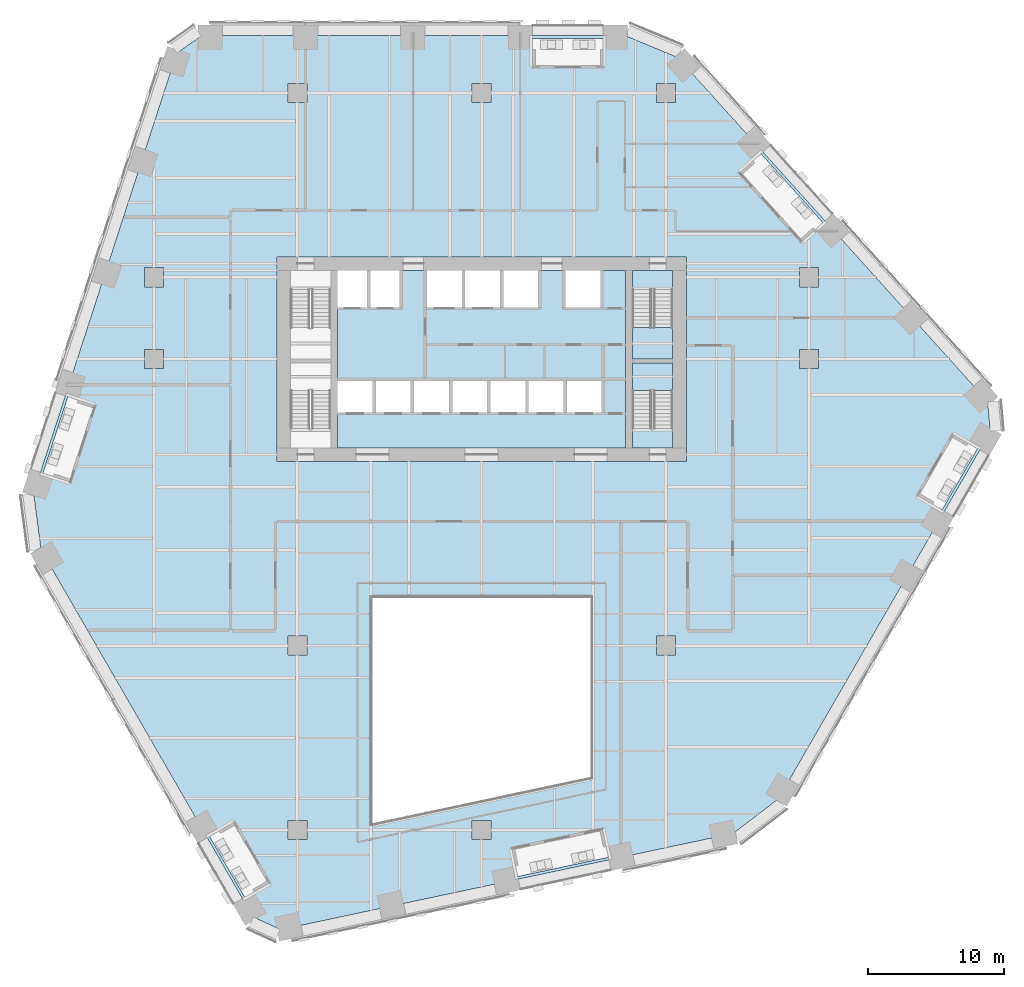
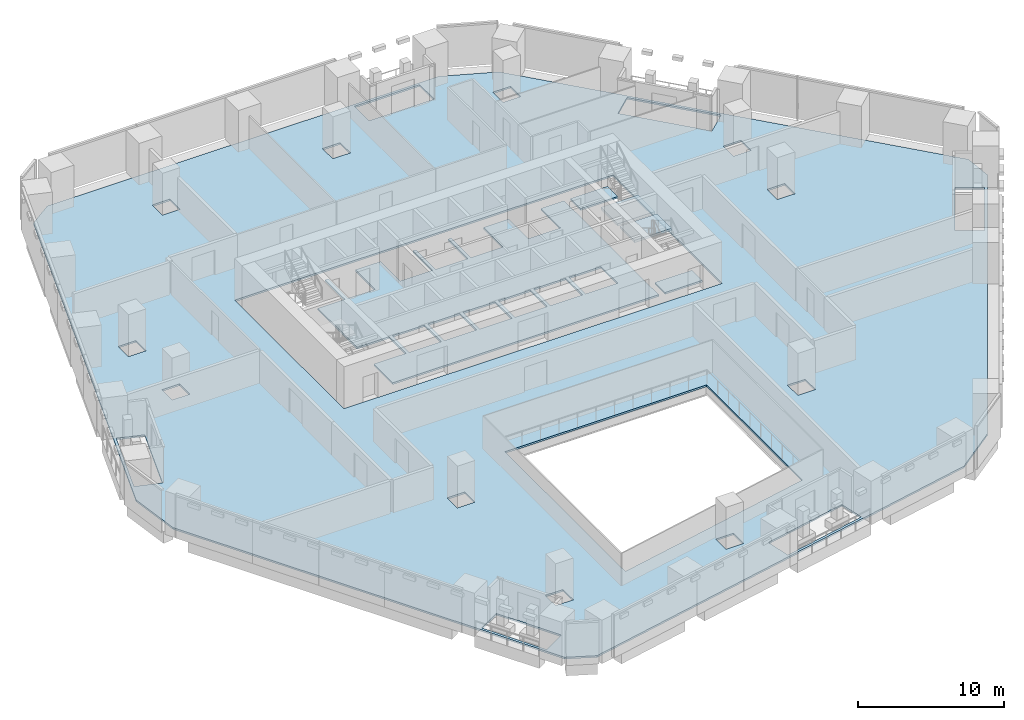
# One storey, part 19 of 31: 6 slabs, 2 elements without a shape of their own.
"""IFC4 building model written with IfcOpenShell, lengths in metres."""

import ifcopenshell
import ifcopenshell.guid

model = None  # the IFC model being written
_history = None  # IfcOwnerHistory: only IFC2X3 demands one
_inside = {}  # id of a spatial element -> (the spatial element, [elements in it])
_under = {}  # id of a project, library or spatial element -> (it, [spatial elements below it])
_declared = {}  # id of a project -> (the project, [libraries it declares])
_typed = {}  # id of a type object -> (the type object, [elements of that type])
_made_of = {}  # id of a material, layer set ... -> (it, [elements and type objects made of it])


def new_model(schema):
    """Start an empty IFC model of exactly this schema.

    Asked for "IFC4X3", IfcOpenShell would pick the latest addendum, in which some entities
    have other attributes; the version numbers below select the first issue.
    IFC2X3 requires an IfcOwnerHistory on every rooted entity: one is made here for all.
    """
    global model, _history
    if schema == "IFC4X3":
        model = ifcopenshell.file(schema_version=(4, 3, 0, 0))
    else:
        model = ifcopenshell.file(schema=schema)
    _inside.clear()
    _under.clear()
    _declared.clear()
    _typed.clear()
    _made_of.clear()
    _history = None
    if model.schema == "IFC2X3":
        org = make("IfcOrganization", Name="unknown")
        user = make(
            "IfcPersonAndOrganization",
            ThePerson=make("IfcPerson", FamilyName="unknown"),
            TheOrganization=org,
        )
        app = make(
            "IfcApplication",
            ApplicationDeveloper=org,
            Version="unknown",
            ApplicationFullName="unknown",
            ApplicationIdentifier="unknown",
        )
        _history = make(
            "IfcOwnerHistory",
            OwningUser=user,
            OwningApplication=app,
            ChangeAction="ADDED",
            CreationDate=0,
        )
    return model


def make(cls, **values):
    """One entity of the class cls with the attributes given. An attribute that is None is left unset."""
    return model.create_entity(
        cls, **{name: value for name, value in values.items() if value is not None}
    )


def rooted(cls, **values):
    """An entity with a GlobalId (a new one), such as an element, a storey or a relation."""
    return make(cls, GlobalId=ifcopenshell.guid.new(), OwnerHistory=_history, **values)


def si_unit(unit_type, name, prefix=None):
    """IfcSIUnit, for example si_unit("LENGTHUNIT", "METRE", prefix="MILLI")."""
    return make("IfcSIUnit", UnitType=unit_type, Prefix=prefix, Name=name)


def assignment(units):
    """IfcUnitAssignment: the units of a project."""
    return None if units is None else make("IfcUnitAssignment", Units=units)


def point(xyz):
    """IfcCartesianPoint."""
    return None if xyz is None else make("IfcCartesianPoint", Coordinates=xyz)


def direction(xyz):
    """IfcDirection."""
    return None if xyz is None else make("IfcDirection", DirectionRatios=xyz)


def frame(location, z_axis=None, x_axis=None):
    """IfcAxis2Placement3D, a coordinate frame: its origin and axes. An axis left out is left unset."""
    return make(
        "IfcAxis2Placement3D",
        Location=point(location),
        Axis=direction(z_axis),
        RefDirection=direction(x_axis),
    )


def origin():
    """The frame at (0, 0, 0) with its axes left unset."""
    return frame((0.0, 0.0, 0.0))


def place(relative_to, where):
    """IfcLocalPlacement: puts the frame where relative to a parent placement (None: the world)."""
    return make(
        "IfcLocalPlacement", PlacementRelTo=relative_to, RelativePlacement=where
    )


def context(
    kind, dimensions, precision=None, world=None, true_north=None, identifier=None
):
    """IfcGeometricRepresentationContext, for example the 3D "Model" context."""
    return make(
        "IfcGeometricRepresentationContext",
        ContextIdentifier=identifier,
        ContextType=kind,
        CoordinateSpaceDimension=dimensions,
        Precision=precision,
        WorldCoordinateSystem=world,
        TrueNorth=true_north,
    )


def subcontext(parent, identifier, kind, view, scale=None):
    """IfcGeometricRepresentationSubContext, for example "Body" below "Model"."""
    return make(
        "IfcGeometricRepresentationSubContext",
        ContextIdentifier=identifier,
        ContextType=kind,
        ParentContext=parent,
        TargetScale=scale,
        TargetView=view,
    )


def project(units=None, contexts=None):
    """IfcProject with its units and contexts."""
    return rooted(
        "IfcProject",
        Name="project",
        RepresentationContexts=contexts,
        UnitsInContext=assignment(units),
    )


def spatial(cls, under=None, at=None, **own):
    """A site, building, storey or space (cls), placed at a placement, below another one or the project."""
    s = rooted(cls, ObjectPlacement=at, **own)
    if under is not None:
        _under.setdefault(under.id(), (under, []))[1].append(s)
    return s


def polyline(points):
    """IfcPolyline through the points."""
    return make("IfcPolyline", Points=[point(p) for p in points])


def outline(outer, holes=None, kind="AREA"):
    """IfcArbitraryClosedProfileDef: a profile drawn as a closed curve; with holes, ...WithVoids."""
    if holes is None:
        return make("IfcArbitraryClosedProfileDef", ProfileType=kind, OuterCurve=outer)
    return make(
        "IfcArbitraryProfileDefWithVoids",
        ProfileType=kind,
        OuterCurve=outer,
        InnerCurves=holes,
    )


def extrude(swept, where, along, depth):
    """IfcExtrudedAreaSolid: the profile swept, set in the frame where, extruded along a direction by depth."""
    return make(
        "IfcExtrudedAreaSolid",
        SweptArea=swept,
        Position=where,
        ExtrudedDirection=direction(along),
        Depth=depth,
    )


def shape(context_of_items, identifier, shape_type, items):
    """IfcShapeRepresentation: the items that make up one representation, for example the "Body"."""
    return make(
        "IfcShapeRepresentation",
        ContextOfItems=context_of_items,
        RepresentationIdentifier=identifier,
        RepresentationType=shape_type,
        Items=items,
    )


def material(Name=None, Category=None):
    """IfcMaterial."""
    return make("IfcMaterial", Name=Name, Category=Category)


def layer(
    of_material, thickness, ventilated=None, Name=None, Category=None, Priority=None
):
    """IfcMaterialLayer: one layer of a wall or slab, of a material (None: an air gap)."""
    return make(
        "IfcMaterialLayer",
        Material=of_material,
        LayerThickness=thickness,
        IsVentilated=ventilated,
        Name=Name,
        Category=Category,
        Priority=Priority,
    )


def layer_set(layers, Name=None):
    """IfcMaterialLayerSet."""
    return make("IfcMaterialLayerSet", MaterialLayers=layers, LayerSetName=Name)


def made_of(thing, what):
    """Note that an element or type object is made of a material, layer set ...; save() writes the relation."""
    if what is not None:
        _made_of.setdefault(what.id(), (what, []))[1].append(thing)
    return thing


def type_object(cls, material=None, **own):
    """A type object (cls), such as IfcWallType, which elements share."""
    return made_of(rooted(cls, **own), material)


def element(
    cls,
    number,
    at=None,
    inside=None,
    cuts=None,
    type_object=None,
    material=None,
    context=None,
    identifier="Body",
    shape_type=None,
    held_by="IfcProductDefinitionShape",
    body=None,
    shapes=None,
    **own,
):
    """One element of the class cls, such as IfcWall. Its Tag is "e" and its number.

    at: its placement. inside: the storey or other place that contains it. cuts: it is an
    opening in that element (IfcRelVoidsElement). A single representation is given by context,
    identifier, shape_type and body (its items); several are given by shapes. held_by: the class
    of the entity that holds the representations. save() writes the other relations.
    """
    e = rooted(cls, Tag="e%d" % number, ObjectPlacement=at, **own)
    if body is not None:
        shapes = [shape(context, identifier, shape_type, body)]
    if shapes is not None:
        e.Representation = make(held_by, Representations=shapes)
    if inside is not None:
        _inside.setdefault(inside.id(), (inside, []))[1].append(e)
    if cuts is not None:
        rooted(
            "IfcRelVoidsElement", RelatingBuildingElement=cuts, RelatedOpeningElement=e
        )
    if type_object is not None:
        _typed.setdefault(type_object.id(), (type_object, []))[1].append(e)
    return made_of(e, material)


def aggregate(whole, parts):
    """IfcRelAggregates: a whole, such as a stair, and the parts it consists of."""
    return rooted("IfcRelAggregates", RelatingObject=whole, RelatedObjects=parts)


def save(model, path):
    """Write the relations noted so far, then the file.

    IfcRelAggregates (storeys below a building ...), IfcRelContainedInSpatialStructure (elements
    in a storey), IfcRelDefinesByType, IfcRelAssociatesMaterial and IfcRelDeclares: one each for
    every whole, place, type object, material and project.
    """
    for whole, parts in _under.values():
        aggregate(whole, parts)
    for where, things in _inside.values():
        rooted(
            "IfcRelContainedInSpatialStructure",
            RelatedElements=things,
            RelatingStructure=where,
        )
    for kind, things in _typed.values():
        rooted("IfcRelDefinesByType", RelatedObjects=things, RelatingType=kind)
    for what, things in _made_of.values():
        rooted("IfcRelAssociatesMaterial", RelatedObjects=things, RelatingMaterial=what)
    for by, libraries in _declared.values():
        rooted("IfcRelDeclares", RelatingContext=by, RelatedDefinitions=libraries)
    model.write(path)


model = new_model("IFC4")

# Units and contexts
model_context = context("Model", 3, precision=1e-05, world=origin(), true_north=direction((0.0, 1.0)))
body_context = subcontext(model_context, "Body", "Model", "MODEL_VIEW")
ifc_project = project(units=[si_unit("LENGTHUNIT", "METRE"), si_unit("AREAUNIT", "SQUARE_METRE"), si_unit("VOLUMEUNIT", "CUBIC_METRE"), si_unit("PLANEANGLEUNIT", "RADIAN"), si_unit("MASSUNIT", "GRAM", prefix="KILO")], contexts=[model_context])

# Site, building, storey
site_placement = place(None, origin())
site = spatial("IfcSite", under=ifc_project, at=site_placement, CompositionType="ELEMENT")
building_placement = place(site_placement, origin())
building = spatial("IfcBuilding", under=site, at=building_placement, Name="Isthmus Gate Tower", CompositionType="ELEMENT")
storey_placement = place(building_placement, frame((0.0, 0.0, 39.64990234375)))
storey = spatial("IfcBuildingStorey", under=building, at=storey_placement, Name="L07", CompositionType="ELEMENT", Elevation=39.64990234375)

# Slabs
ifc_material_1 = material(Name="Concrete f'c 40 MPa", Category="concrete")
ifc_layer_1 = layer(ifc_material_1, 0.14990234375)
ifc_layer_set_1 = layer_set([ifc_layer_1], Name="COMPOSITE FLOOR SLAB 150")
slab_type_1 = type_object("IfcSlabType", Name="COMPOSITE FLOOR SLAB 150", PredefinedType="FLOOR", material=ifc_layer_set_1)
slab_1_placement = place(storey_placement, frame((0.0, 0.0, -0.14990234375)))
element("IfcSlab", 1, at=slab_1_placement, inside=storey, type_object=slab_type_1, Name="str-slab-L07-1", PredefinedType="FLOOR", context=body_context, shape_type="SweptSolid", body=[
    extrude(outline(polyline([(14.391357421875, 29.599365234375), (37.081787109375, 4.399169921875), (37.281494140625, 2.17333984375), (21.748779296875, -24.729736328125), (18.438232421875, -27.262939453125), (-14.73095703125, -34.313232421875), (-16.758544921875, -33.373291015625), (-32.291015625, -6.47021484375), (-32.82958984375, -2.33642578125), (-22.3505859375, 29.9140625), (-20.52294921875, 31.199951171875), (10.542236328125, 31.199951171875), (14.391357421875, 29.599365234375)]), holes=[polyline([(-17.358642578125, -31.933837890625), (-15.626708984375, -30.933837890625), (-18.198486328125, -26.4794921875), (-19.930419921875, -27.4794921875), (-17.358642578125, -31.933837890625)]), polyline([(-14.199951171875, -26.300048828125), (-14.199951171875, -27.699951171875), (-12.800048828125, -27.699951171875), (-12.800048828125, -26.300048828125), (-14.199951171875, -26.300048828125)]), polyline([(-0.699951171875, -26.300048828125), (-0.699951171875, -27.699951171875), (0.699951171875, -27.699951171875), (0.699951171875, -26.300048828125), (-0.699951171875, -26.300048828125)]), polyline([(8.0, -23.143310546875), (8.0, -10.0), (-8.0, -10.0), (-8.0, -26.544189453125), (8.0, -23.143310546875)]), polyline([(-14.199951171875, -12.800048828125), (-14.199951171875, -14.199951171875), (-12.800048828125, -14.199951171875), (-12.800048828125, -12.800048828125), (-14.199951171875, -12.800048828125)]), polyline([(-32.138916015625, -0.85791015625), (-30.23681640625, -1.47607421875), (-28.416748046875, 4.125), (-30.31884765625, 4.7431640625), (-32.138916015625, -0.85791015625)]), polyline([(-23.300048828125, 8.199951171875), (-24.699951171875, 8.199951171875), (-24.699951171875, 6.800048828125), (-23.300048828125, 6.800048828125), (-23.300048828125, 8.199951171875)]), polyline([(15.0, 0.0), (15.0, 15.0), (-15.0, 15.0), (-15.0, 0.0), (15.0, 0.0)]), polyline([(-23.300048828125, 12.800048828125), (-23.300048828125, 14.199951171875), (-24.699951171875, 14.199951171875), (-24.699951171875, 12.800048828125), (-23.300048828125, 12.800048828125)]), polyline([(-14.199951171875, 27.699951171875), (-14.199951171875, 26.300048828125), (-12.800048828125, 26.300048828125), (-12.800048828125, 27.699951171875), (-14.199951171875, 27.699951171875)]), polyline([(9.291015625, -29.002685546875), (8.875244140625, -27.04638671875), (2.234375, -28.4580078125), (2.650146484375, -30.414306640625), (9.291015625, -29.002685546875)]), polyline([(14.199951171875, -12.800048828125), (12.800048828125, -12.800048828125), (12.800048828125, -14.199951171875), (14.199951171875, -14.199951171875), (14.199951171875, -12.800048828125)]), polyline([(33.75, -3.54296875), (36.3349609375, 0.933837890625), (34.602783203125, 1.933837890625), (32.01806640625, -2.54296875), (33.75, -3.54296875)]), polyline([(24.699951171875, 6.800048828125), (24.699951171875, 8.199951171875), (23.300048828125, 8.199951171875), (23.300048828125, 6.800048828125), (24.699951171875, 6.800048828125)]), polyline([(23.300048828125, 14.199951171875), (23.300048828125, 12.800048828125), (24.699951171875, 12.800048828125), (24.699951171875, 14.199951171875), (23.300048828125, 14.199951171875)]), polyline([(20.4716796875, 22.547607421875), (18.9853515625, 21.20947265625), (23.5283203125, 16.1640625), (25.014404296875, 17.502197265625), (20.4716796875, 22.547607421875)]), polyline([(0.699951171875, 27.699951171875), (-0.699951171875, 27.699951171875), (-0.699951171875, 26.300048828125), (0.699951171875, 26.300048828125), (0.699951171875, 27.699951171875)]), polyline([(14.199951171875, 26.300048828125), (14.199951171875, 27.699951171875), (12.800048828125, 27.699951171875), (12.800048828125, 26.300048828125), (14.199951171875, 26.300048828125)]), polyline([(8.90185546875, 31.0), (3.732421875, 31.0), (3.732421875, 29.0), (8.90185546875, 29.0), (8.90185546875, 31.0)])]), origin(), (0.0, 0.0, 1.0), 0.14990234375),
])
ifc_material_2 = material(Name="Concrete f'c 40 MPa", Category="concrete")
ifc_layer_2 = layer(ifc_material_2, 0.14990234375)
ifc_layer_set_2 = layer_set([ifc_layer_2], Name="CORE FLOOR SLAB 150")
slab_type_2 = type_object("IfcSlabType", Name="CORE FLOOR SLAB 150", PredefinedType="FLOOR", material=ifc_layer_set_2)
slab_2_placement = place(storey_placement, frame((0.0, 0.0, -0.14990234375)))
element("IfcSlab", 2, at=slab_2_placement, inside=storey, type_object=slab_type_2, Name="L07 core floor", PredefinedType="FLOOR", context=body_context, shape_type="SweptSolid", body=[
    extrude(outline(polyline([(10.550048828125, 14.0), (8.699951171875, 14.0), (8.699951171875, 11.300048828125), (6.14990234375, 11.300048828125), (6.14990234375, 14.0), (4.14990234375, 14.0), (4.14990234375, 11.300048828125), (1.60009765625, 11.300048828125), (1.60009765625, 14.0), (1.35009765625, 14.0), (1.35009765625, 11.300048828125), (-1.199951171875, 11.300048828125), (-1.199951171875, 14.0), (-1.449951171875, 14.0), (-1.449951171875, 11.300048828125), (-4.0, 11.300048828125), (-4.0, 14.0), (-6.0, 14.0), (-6.0, 11.300048828125), (-8.14990234375, 11.300048828125), (-8.14990234375, 14.0), (-8.39990234375, 14.0), (-8.39990234375, 11.300048828125), (-10.550048828125, 11.300048828125), (-10.550048828125, 5.89990234375), (-8.0, 5.89990234375), (-8.0, 3.60009765625), (-10.550048828125, 3.60009765625), (-10.550048828125, 1.0), (10.550048828125, 1.0), (10.550048828125, 14.0)]), holes=[polyline([(-5.199951171875, 5.89990234375), (-5.199951171875, 3.60009765625), (-7.75, 3.60009765625), (-7.75, 5.89990234375), (-5.199951171875, 5.89990234375)]), polyline([(-2.39990234375, 5.89990234375), (-2.39990234375, 3.60009765625), (-4.949951171875, 3.60009765625), (-4.949951171875, 5.89990234375), (-2.39990234375, 5.89990234375)]), polyline([(0.39990234375, 5.89990234375), (0.39990234375, 3.60009765625), (-2.14990234375, 3.60009765625), (-2.14990234375, 5.89990234375), (0.39990234375, 5.89990234375)]), polyline([(3.199951171875, 5.89990234375), (3.199951171875, 3.60009765625), (0.64990234375, 3.60009765625), (0.64990234375, 5.89990234375), (3.199951171875, 5.89990234375)]), polyline([(6.0, 5.89990234375), (6.0, 3.60009765625), (3.449951171875, 3.60009765625), (3.449951171875, 5.89990234375), (6.0, 5.89990234375)]), polyline([(8.800048828125, 5.89990234375), (8.800048828125, 3.60009765625), (6.25, 3.60009765625), (6.25, 5.89990234375), (8.800048828125, 5.89990234375)])]), origin(), (0.0, 0.0, 1.0), 0.14990234375),
])
slab_3_placement = place(storey_placement, frame((0.0, 0.0, -0.14990234375)))
element("IfcSlab", 3, at=slab_3_placement, inside=storey, type_object=slab_type_2, Name="L07 core floor", PredefinedType="FLOOR", context=body_context, shape_type="SweptSolid", body=[
    extrude(outline(polyline([(14.0, 1.0), (14.0, 2.402099609375), (11.050048828125, 2.402099609375), (11.050048828125, 1.0), (14.0, 1.0)])), origin(), (0.0, 0.0, 1.0), 0.14990234375),
])
slab_4_placement = place(storey_placement, frame((0.0, 0.0, -0.14990234375)))
element("IfcSlab", 4, at=slab_4_placement, inside=storey, type_object=slab_type_2, Name="L07 core floor", PredefinedType="FLOOR", context=body_context, shape_type="SweptSolid", body=[
    extrude(outline(polyline([(11.050048828125, 14.0), (11.050048828125, 12.597900390625), (14.0, 12.597900390625), (14.0, 14.0), (11.050048828125, 14.0)])), origin(), (0.0, 0.0, 1.0), 0.14990234375),
])

# Stair, slab
ifc_material_3 = material(Name="Concrete f'c 40 MPa", Category="concrete")
stair_type = type_object("IfcStairType", Name="CORE STAIR 22 RISERS", PredefinedType="HALF_TURN_STAIR", material=ifc_material_3)
stair_1_placement = place(storey_placement, origin())
stair_1 = element("IfcStair", 5, at=stair_1_placement, inside=storey, type_object=stair_type, Name="L07 Exit Stair 2", PredefinedType="HALF_TURN_STAIR")
ifc_material_4 = material(Name="Concrete f'c 40 MPa", Category="concrete")
ifc_layer_3 = layer(ifc_material_4, 0.199951171875)
ifc_layer_set_3 = layer_set([ifc_layer_3])
slab_type_3 = type_object("IfcSlabType", Name="STAIR LANDING RC 200", PredefinedType="LANDING", material=ifc_layer_set_3)
slab_5_placement = place(storey_placement, frame((0.0, 0.0, 1.625)))
slab_5 = element("IfcSlab", 6, at=slab_5_placement, type_object=slab_type_3, Name="ST2 landing 1", PredefinedType="LANDING", context=body_context, shape_type="SweptSolid", body=[
    extrude(outline(polyline([(11.050048828125, 9.800048828125), (11.050048828125, 7.5), (14.0, 7.5), (14.0, 9.800048828125), (11.050048828125, 9.800048828125)])), origin(), (0.0, 0.0, 1.0), 0.2001953125),
])
aggregate(stair_1, [slab_5])

stair_2_placement = place(storey_placement, origin())
stair_2 = element("IfcStair", 7, at=stair_2_placement, inside=storey, type_object=stair_type, Name="L07 Exit Stair 8", PredefinedType="HALF_TURN_STAIR")
slab_6_placement = place(storey_placement, frame((0.0, 0.0, 1.625)))
slab_6 = element("IfcSlab", 8, at=slab_6_placement, type_object=slab_type_3, Name="ST8 landing 1", PredefinedType="LANDING", context=body_context, shape_type="SweptSolid", body=[
    extrude(outline(polyline([(14.0, 5.199951171875), (14.0, 7.199951171875), (11.050048828125, 7.199951171875), (11.050048828125, 5.199951171875), (14.0, 5.199951171875)])), origin(), (0.0, 0.0, 1.0), 0.2001953125),
])
aggregate(stair_2, [slab_6])

save(model, "model.ifc")
